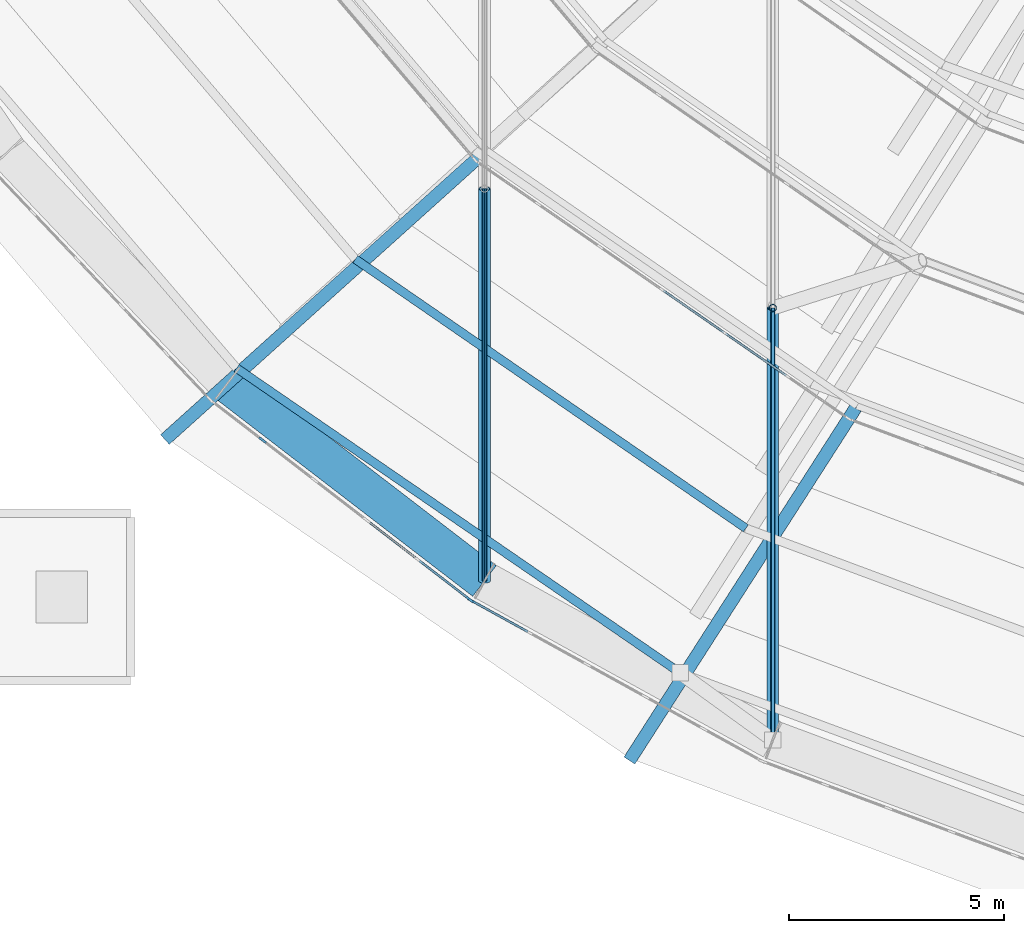
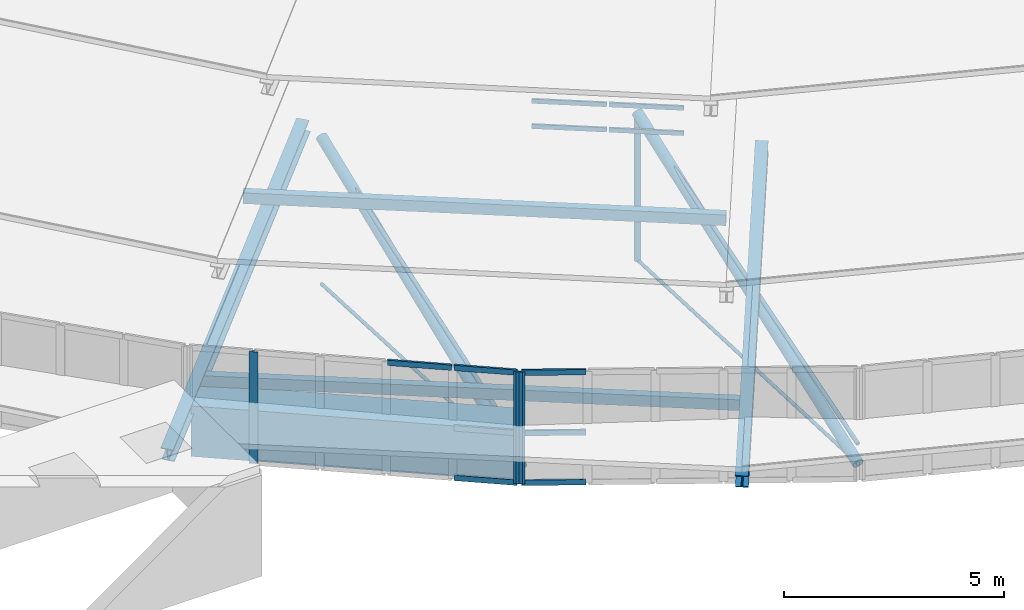
# One storey, part 2 of 173: 25 members, 1 beam, 3 elements without a shape of their own.
"""IFC4 building model written with IfcOpenShell, lengths in metres."""

from ifc_helpers import new_model, si_unit, direction, frame, origin, origin_2d, place, context, subcontext, project, spatial, rectangle, hollow_rectangle, circle, hollow_circle, i_section, extrude, material, material_profile, profile_set, type_object, element, aggregate, save


model = new_model("IFC4")

# Units and contexts
model_context = context("Model", 3, precision=1e-05, world=origin(), true_north=direction((0.0, 1.0)))
body_context = subcontext(model_context, "Body", "Model", "MODEL_VIEW")
ifc_project = project(units=[si_unit("LENGTHUNIT", "METRE"), si_unit("AREAUNIT", "SQUARE_METRE"), si_unit("VOLUMEUNIT", "CUBIC_METRE"), si_unit("PLANEANGLEUNIT", "RADIAN"), si_unit("MASSUNIT", "GRAM", prefix="KILO")], contexts=[model_context])

# Site, building, storey
site_placement = place(None, origin())
site = spatial("IfcSite", under=ifc_project, at=site_placement, CompositionType="ELEMENT")
building_placement = place(site_placement, origin())
building = spatial("IfcBuilding", under=site, at=building_placement, Name="Glasvene Arena", CompositionType="ELEMENT")
storey_placement = place(building_placement, frame((0.0, 0.0, 28.800048828125)))
storey = spatial("IfcBuildingStorey", under=building, at=storey_placement, Name="RF", CompositionType="ELEMENT", Elevation=28.800048828125)

# Beam
ifc_material_1 = material(Name="Steel S355J2", Category="steel")
ifc_material_profile_1 = material_profile(ifc_material_1, hollow_rectangle(XDim=0.89990234375, YDim=1.39990234375, WallThickness=0.034912109375, at=origin_2d()), Name="WBOX 900x1400x35")
ifc_profile_set_1 = profile_set([ifc_material_profile_1], Name="Steel S355J2")
beam_type = type_object("IfcBeamType", Name="BM-RING-BOX1400", PredefinedType="USERDEFINED", material=ifc_profile_set_1)
beam_placement = place(storey_placement, frame((56.644775390625, 41.18017578125, -0.699951171875), z_axis=(0.792826575958, -0.609447307366, 0.0), x_axis=(0.609447307366, 0.792826575958, 0.0)))
element("IfcBeam", 1, at=beam_placement, inside=storey, type_object=beam_type, Name="Compression ring beam chord RB-26", ObjectType="RING BEAM", PredefinedType="USERDEFINED", context=body_context, shape_type="SweptSolid", body=[
    extrude(hollow_rectangle(XDim=0.89990234375, YDim=1.39990234375, WallThickness=0.034912109375, at=origin_2d()), origin(), (0.0, 0.0, 1.0), 7.524658203125),
])

# Curtain wall, members
ifc_material_2 = material(Name="Low-emissivity laminated double glazing", Category="glass")
curtain_wall_type_1 = type_object("IfcCurtainWallType", Name="CW-DRUM-761x310", PredefinedType="USERDEFINED", material=ifc_material_2)
curtain_wall_1_placement = place(storey_placement, frame((56.255859375, 40.791259765625, 0.0)))
curtain_wall_1 = element("IfcCurtainWall", 2, at=curtain_wall_1_placement, inside=storey, type_object=curtain_wall_type_1, Name="Crown compression-ring fascia curtain wall 26", ObjectType="CURTAIN WALL", PredefinedType="USERDEFINED")
ifc_material_3 = material(Name="Anodised architectural aluminium", Category="aluminium")
ifc_material_profile_2 = material_profile(ifc_material_3, rectangle(XDim=0.050048828125, YDim=0.199951171875, at=origin_2d()), Name="ALU MULLION 50x200")
ifc_profile_set_2 = profile_set([ifc_material_profile_2], Name="Anodised architectural aluminium")
member_type_1 = type_object("IfcMemberType", Name="CW-MUL-180", PredefinedType="MULLION", material=ifc_profile_set_2)
member_1_placement = place(storey_placement, frame((57.462158203125, 39.86279296875, -1.380126953125), z_axis=(0.0, 0.0, 1.0), x_axis=(0.609894880488, 0.792482324569, 0.0)))
member_1 = element("IfcMember", 3, at=member_1_placement, type_object=member_type_1, Name="CW-076 mullion 2", PredefinedType="MULLION", context=body_context, shape_type="SweptSolid", body=[
    extrude(rectangle(XDim=0.050048828125, YDim=0.199951171875, at=origin_2d()), origin(), (0.0, 0.0, 1.0), 3.10009765625),
])
member_2_placement = place(storey_placement, frame((62.267578125, 36.16455078125, -1.380126953125), z_axis=(0.0, 0.0, 1.0), x_axis=(0.609894880488, 0.792482324569, 0.0)))
member_2 = element("IfcMember", 4, at=member_2_placement, type_object=member_type_1, Name="CW-076 mullion 6", PredefinedType="MULLION", context=body_context, shape_type="SweptSolid", body=[
    extrude(rectangle(XDim=0.050048828125, YDim=0.199951171875, at=origin_2d()), origin(), (0.0, 0.0, 1.0), 3.10009765625),
])

# Curtain wall, member
curtain_wall_type_2 = type_object("IfcCurtainWallType", Name="CW-DRUM-773x310", PredefinedType="USERDEFINED", material=ifc_material_2)
curtain_wall_2_placement = place(storey_placement, frame((62.28759765625, 36.1494140625, 0.0)))
curtain_wall_2 = element("IfcCurtainWall", 5, at=curtain_wall_2_placement, inside=storey, type_object=curtain_wall_type_2, Name="Crown compression-ring fascia curtain wall 27", ObjectType="CURTAIN WALL", PredefinedType="USERDEFINED")
member_3_placement = place(storey_placement, frame((62.309326171875, 36.13720703125, -1.380126953125), z_axis=(0.0, 0.0, 1.0), x_axis=(0.483387319086, 0.875406591103, 0.0)))
member_3 = element("IfcMember", 6, at=member_3_placement, type_object=member_type_1, Name="CW-077 mullion 1", PredefinedType="MULLION", context=body_context, shape_type="SweptSolid", body=[
    extrude(rectangle(XDim=0.050048828125, YDim=0.199951171875, at=origin_2d()), origin(), (0.0, 0.0, 1.0), 3.10009765625),
])

# Curtain wall, members
curtain_wall_type_3 = type_object("IfcCurtainWallType", Name="CW-PET1-1054x75", PredefinedType="USERDEFINED", material=ifc_material_2)
curtain_wall_3_placement = place(storey_placement, frame((62.40771484375, 46.342041015625, 0.0)))
curtain_wall_3 = element("IfcCurtainWall", 7, at=curtain_wall_3_placement, inside=storey, type_object=curtain_wall_type_3, Name="Petal ring 1-2 clerestory curtain wall 16", ObjectType="CURTAIN WALL", PredefinedType="USERDEFINED")
ifc_material_profile_3 = material_profile(ifc_material_3, rectangle(XDim=0.050048828125, YDim=0.1201171875, at=origin_2d()), Name="ALU TRANSOM 50x120")
ifc_profile_set_3 = profile_set([ifc_material_profile_3], Name="Anodised architectural aluminium")
member_type_2 = type_object("IfcMemberType", Name="CW-TRN-120", PredefinedType="USERDEFINED", material=ifc_profile_set_3)
member_4_placement = place(storey_placement, frame((66.761962890625, 43.332275390625, 2.60498046875), z_axis=(0.82255264471, -0.56868897183, 0.0), x_axis=(0.56868897183, 0.82255264471, 0.0)))
member_4 = element("IfcMember", 8, at=member_4_placement, type_object=member_type_2, Name="CW-084 transom 4.1", ObjectType="TRANSOM", PredefinedType="USERDEFINED", context=body_context, shape_type="SweptSolid", body=[
    extrude(rectangle(XDim=0.050048828125, YDim=0.1201171875, at=origin_2d()), origin(), (0.0, 0.0, 1.0), 1.7060546875),
])
member_5_placement = place(storey_placement, frame((66.761962890625, 43.332275390625, 3.304931640625), z_axis=(0.82255264471, -0.56868897183, 0.0), x_axis=(0.56868897183, 0.82255264471, 0.0)))
member_5 = element("IfcMember", 9, at=member_5_placement, type_object=member_type_2, Name="CW-084 transom 4.2", ObjectType="TRANSOM", PredefinedType="USERDEFINED", context=body_context, shape_type="SweptSolid", body=[
    extrude(rectangle(XDim=0.050048828125, YDim=0.1201171875, at=origin_2d()), origin(), (0.0, 0.0, 1.0), 1.7060546875),
])
member_6_placement = place(storey_placement, frame((68.20654296875, 42.333740234375, 2.60498046875), z_axis=(0.82255264471, -0.56868897183, 0.0), x_axis=(0.56868897183, 0.82255264471, 0.0)))
member_6 = element("IfcMember", 10, at=member_6_placement, type_object=member_type_2, Name="CW-084 transom 5.1", ObjectType="TRANSOM", PredefinedType="USERDEFINED", context=body_context, shape_type="SweptSolid", body=[
    extrude(rectangle(XDim=0.050048828125, YDim=0.1201171875, at=origin_2d()), origin(), (0.0, 0.0, 1.0), 1.7060546875),
])
member_7_placement = place(storey_placement, frame((68.20654296875, 42.333740234375, 3.304931640625), z_axis=(0.82255264471, -0.56868897183, 0.0), x_axis=(0.56868897183, 0.82255264471, 0.0)))
member_7 = element("IfcMember", 11, at=member_7_placement, type_object=member_type_2, Name="CW-084 transom 5.2", ObjectType="TRANSOM", PredefinedType="USERDEFINED", context=body_context, shape_type="SweptSolid", body=[
    extrude(rectangle(XDim=0.050048828125, YDim=0.1201171875, at=origin_2d()), origin(), (0.0, 0.0, 1.0), 1.7060546875),
])
aggregate(curtain_wall_3, [member_4, member_5, member_6, member_7])

# Member
ifc_material_profile_4 = material_profile(ifc_material_3, rectangle(XDim=0.050048828125, YDim=0.14990234375, at=origin_2d()), Name="ALU TRANSOM 50x150")
ifc_profile_set_4 = profile_set([ifc_material_profile_4], Name="Anodised architectural aluminium")
member_type_3 = type_object("IfcMemberType", Name="CW-TRN-150", PredefinedType="USERDEFINED", material=ifc_profile_set_4)
member_8_placement = place(storey_placement, frame((59.89453125, 37.990966796875, 1.695068359375), z_axis=(0.792476018124, -0.60990307484, 0.0), x_axis=(0.60990307484, 0.792476018124, 0.0)))
member_8 = element("IfcMember", 12, at=member_8_placement, type_object=member_type_3, Name="CW-076 transom 4.3", ObjectType="TRANSOM", PredefinedType="USERDEFINED", context=body_context, shape_type="SweptSolid", body=[
    extrude(rectangle(XDim=0.050048828125, YDim=0.14990234375, at=origin_2d()), origin(), (0.0, 0.0, 1.0), 1.47216796875),
])

member_9_placement = place(storey_placement, frame((61.10107421875, 37.0625, -1.35498046875), z_axis=(0.792385615775, -0.610020520895, 0.0), x_axis=(0.610020520895, 0.792385615775, 0.0)))
member_9 = element("IfcMember", 13, at=member_9_placement, type_object=member_type_3, Name="CW-076 transom 5.1", ObjectType="TRANSOM", PredefinedType="USERDEFINED", context=body_context, shape_type="SweptSolid", body=[
    extrude(rectangle(XDim=0.050048828125, YDim=0.14990234375, at=origin_2d()), origin(), (0.0, 0.0, 1.0), 1.447265625),
])

member_10_placement = place(storey_placement, frame((61.10107421875, 37.0625, 0.02001953125), z_axis=(0.792385615775, -0.610020520895, 0.0), x_axis=(0.610020520895, 0.792385615775, 0.0)))
member_10 = element("IfcMember", 14, at=member_10_placement, type_object=member_type_3, Name="CW-076 transom 5.2", ObjectType="TRANSOM", PredefinedType="USERDEFINED", context=body_context, shape_type="SweptSolid", body=[
    extrude(rectangle(XDim=0.050048828125, YDim=0.14990234375, at=origin_2d()), origin(), (0.0, 0.0, 1.0), 1.447265625),
])

member_11_placement = place(storey_placement, frame((61.10107421875, 37.0625, 1.695068359375), z_axis=(0.792385615775, -0.610020520895, 0.0), x_axis=(0.610020520895, 0.792385615775, 0.0)))
member_11 = element("IfcMember", 15, at=member_11_placement, type_object=member_type_3, Name="CW-076 transom 5.3", ObjectType="TRANSOM", PredefinedType="USERDEFINED", context=body_context, shape_type="SweptSolid", body=[
    extrude(rectangle(XDim=0.050048828125, YDim=0.14990234375, at=origin_2d()), origin(), (0.0, 0.0, 1.0), 1.447265625),
])

aggregate(curtain_wall_1, [member_1, member_2, member_8, member_9, member_10, member_11])

member_12_placement = place(storey_placement, frame((62.331298828125, 36.125244140625, -1.35498046875), z_axis=(0.875376563169, -0.483441695197, 0.0), x_axis=(0.483441695197, 0.875376563169, 0.0)))
member_12 = element("IfcMember", 16, at=member_12_placement, type_object=member_type_3, Name="CW-077 transom 1.1", ObjectType="TRANSOM", PredefinedType="USERDEFINED", context=body_context, shape_type="SweptSolid", body=[
    extrude(rectangle(XDim=0.050048828125, YDim=0.14990234375, at=origin_2d()), origin(), (0.0, 0.0, 1.0), 1.469970703125),
])

member_13_placement = place(storey_placement, frame((62.331298828125, 36.125244140625, 0.02001953125), z_axis=(0.875376563169, -0.483441695197, 0.0), x_axis=(0.483441695197, 0.875376563169, 0.0)))
member_13 = element("IfcMember", 17, at=member_13_placement, type_object=member_type_3, Name="CW-077 transom 1.2", ObjectType="TRANSOM", PredefinedType="USERDEFINED", context=body_context, shape_type="SweptSolid", body=[
    extrude(rectangle(XDim=0.050048828125, YDim=0.14990234375, at=origin_2d()), origin(), (0.0, 0.0, 1.0), 1.469970703125),
])

member_14_placement = place(storey_placement, frame((62.331298828125, 36.125244140625, 1.695068359375), z_axis=(0.875376563169, -0.483441695197, 0.0), x_axis=(0.483441695197, 0.875376563169, 0.0)))
member_14 = element("IfcMember", 18, at=member_14_placement, type_object=member_type_3, Name="CW-077 transom 1.3", ObjectType="TRANSOM", PredefinedType="USERDEFINED", context=body_context, shape_type="SweptSolid", body=[
    extrude(rectangle(XDim=0.050048828125, YDim=0.14990234375, at=origin_2d()), origin(), (0.0, 0.0, 1.0), 1.469970703125),
])

aggregate(curtain_wall_2, [member_3, member_12, member_13, member_14])

# Members
ifc_material_4 = material(Name="High-strength steel spiral strand S460", Category="steel")
ifc_material_profile_5 = material_profile(ifc_material_4, circle(Radius=0.052490234375, at=origin_2d()), Name="LCSS D105")
ifc_profile_set_5 = profile_set([ifc_material_profile_5], Name="High-strength steel spiral strand S460")
member_type_4 = type_object("IfcMemberType", Name="MB-CABLE-105", PredefinedType="USERDEFINED", material=ifc_profile_set_5)
member_15_placement = place(storey_placement, frame((69.300537109375, 32.90478515625, -0.780029296875), z_axis=(0.0, 0.955115669701, 0.296233113427), x_axis=(-1.0, 0.0, 0.0)))
element("IfcMember", 19, at=member_15_placement, inside=storey, type_object=member_type_4, Name="Upper lens roof cable NS08-01", ObjectType="ROOF CABLE", PredefinedType="USERDEFINED", context=body_context, shape_type="SweptSolid", body=[
    extrude(circle(Radius=0.052490234375, at=origin_2d()), origin(), (0.0, 0.0, 1.0), 10.49462890625),
])
member_16_placement = place(storey_placement, frame((62.610595703125, 36.59423828125, -0.780029296875), z_axis=(0.0, 0.946316907349, 0.323240329887), x_axis=(-1.0, 0.0, 0.0)))
element("IfcMember", 20, at=member_16_placement, inside=storey, type_object=member_type_4, Name="Upper lens roof cable NS09-01", ObjectType="ROOF CABLE", PredefinedType="USERDEFINED", context=body_context, shape_type="SweptSolid", body=[
    extrude(circle(Radius=0.052490234375, at=origin_2d()), origin(), (0.0, 0.0, 1.0), 9.617919921875),
])
ifc_material_profile_6 = material_profile(ifc_material_4, circle(Radius=0.044921875, at=origin_2d()), Name="LCSS D90")
ifc_profile_set_6 = profile_set([ifc_material_profile_6], Name="High-strength steel spiral strand S460")
member_type_5 = type_object("IfcMemberType", Name="MB-CABLE-90", PredefinedType="USERDEFINED", material=ifc_profile_set_6)
member_17_placement = place(storey_placement, frame((69.300537109375, 32.90478515625, -1.320068359375), z_axis=(0.0, 0.999067829779, -0.043167945296), x_axis=(-1.0, 0.0, 0.0)))
element("IfcMember", 21, at=member_17_placement, inside=storey, type_object=member_type_5, Name="Lower stabilization roof cable NS08-01", ObjectType="ROOF CABLE", PredefinedType="USERDEFINED", context=body_context, shape_type="SweptSolid", body=[
    extrude(circle(Radius=0.044921875, at=origin_2d()), origin(), (0.0, 0.0, 1.0), 10.032958984375),
])
member_18_placement = place(storey_placement, frame((62.610595703125, 36.59423828125, -1.320068359375), z_axis=(0.0, 0.998869713277, -0.04753205127), x_axis=(-1.0, 0.0, 0.0)))
element("IfcMember", 22, at=member_18_placement, inside=storey, type_object=member_type_5, Name="Lower stabilization roof cable NS09-01", ObjectType="ROOF CABLE", PredefinedType="USERDEFINED", context=body_context, shape_type="SweptSolid", body=[
    extrude(circle(Radius=0.044921875, at=origin_2d()), origin(), (0.0, 0.0, 1.0), 9.11181640625),
])
ifc_material_profile_7 = material_profile(ifc_material_1, i_section(OverallWidth=0.300048828125, OverallDepth=0.39990234375, WebThickness=0.013427734375, FlangeThickness=0.02392578125, FilletRadius=0.027099609375, at=origin_2d()), Name="HEB 400")
ifc_profile_set_7 = profile_set([ifc_material_profile_7], Name="Steel S355J2")
member_type_6 = type_object("IfcMemberType", Name="MB-CHORD-HEB400", PredefinedType="CHORD", material=ifc_profile_set_7)
member_19_placement = place(storey_placement, frame((55.23046875, 39.907470703125, -0.400146484375), z_axis=(0.721052228136, 0.648949376347, 0.242792897837), x_axis=(-0.668966081985, 0.743292930919, 0.0)))
element("IfcMember", 23, at=member_19_placement, inside=storey, type_object=member_type_6, Name="Petal ring 1 radial rib 16", PredefinedType="CHORD", context=body_context, shape_type="SweptSolid", body=[
    extrude(i_section(OverallWidth=0.300048828125, OverallDepth=0.39990234375, WebThickness=0.013427734375, FlangeThickness=0.02392578125, FilletRadius=0.027099609375, at=origin_2d()), origin(), (0.0, 0.0, 1.0), 10.296875),
])
member_20_placement = place(storey_placement, frame((66.0, 32.469970703125, -0.400146484375), z_axis=(0.522944416595, 0.815179491662, 0.24902115076), x_axis=(-0.841694512894, 0.539954023009, 0.0)))
element("IfcMember", 24, at=member_20_placement, inside=storey, type_object=member_type_6, Name="Petal ring 1 radial rib 17", PredefinedType="CHORD", context=body_context, shape_type="SweptSolid", body=[
    extrude(i_section(OverallWidth=0.300048828125, OverallDepth=0.39990234375, WebThickness=0.013427734375, FlangeThickness=0.02392578125, FilletRadius=0.027099609375, at=origin_2d()), origin(), (0.0, 0.0, 1.0), 10.039306640625),
])
ifc_material_profile_8 = material_profile(ifc_material_1, hollow_rectangle(XDim=0.199951171875, YDim=0.300048828125, WallThickness=0.012451171875, at=origin_2d()), Name="RHS 300x200x12.5")
ifc_profile_set_8 = profile_set([ifc_material_profile_8], Name="Steel S355J2")
member_type_7 = type_object("IfcMemberType", Name="MB-PURLIN-RHS300", PredefinedType="PURLIN", material=ifc_profile_set_8)
member_21_placement = place(storey_placement, frame((56.856689453125, 41.53369140625, 0.16748046875), z_axis=(0.824221560776, -0.566267444545, 0.0), x_axis=(0.566267444545, 0.824221560776, 0.0)))
element("IfcMember", 25, at=member_21_placement, inside=storey, type_object=member_type_7, Name="Petal ring 1 outer purlin 16", PredefinedType="PURLIN", context=body_context, shape_type="SweptSolid", body=[
    extrude(hollow_rectangle(XDim=0.199951171875, YDim=0.300048828125, WallThickness=0.012451171875, at=origin_2d()), origin(), (0.0, 0.0, 1.0), 12.488525390625),
])
member_22_placement = place(storey_placement, frame((59.614013671875, 44.060791015625, 2.728515625), z_axis=(0.82335648523, -0.567524535355, 0.0), x_axis=(0.567524535355, 0.82335648523, 0.0)))
element("IfcMember", 26, at=member_22_placement, inside=storey, type_object=member_type_7, Name="Petal ring 2 outer purlin 16", PredefinedType="PURLIN", context=body_context, shape_type="SweptSolid", body=[
    extrude(hollow_rectangle(XDim=0.199951171875, YDim=0.300048828125, WallThickness=0.012451171875, at=origin_2d()), origin(), (0.0, 0.0, 1.0), 11.0048828125),
])
ifc_material_profile_9 = material_profile(ifc_material_1, hollow_circle(Radius=0.084228515625, WallThickness=0.008056640625, at=origin_2d()), Name="CHS 168.3x8.0")
ifc_profile_set_9 = profile_set([ifc_material_profile_9], Name="Steel S355J2")
member_type_8 = type_object("IfcMemberType", Name="MB-WEB-CHS168", PredefinedType="BRACE", material=ifc_profile_set_9)
member_23_placement = place(storey_placement, frame((69.300537109375, 42.928466796875, -1.753173828125), z_axis=(0.0, 0.0, 1.0), x_axis=(1.0, 0.0, 0.0)))
element("IfcMember", 27, at=member_23_placement, inside=storey, type_object=member_type_8, Name="Cable-truss vertical strut NS08-01", PredefinedType="BRACE", context=body_context, shape_type="SweptSolid", body=[
    extrude(hollow_circle(Radius=0.084228515625, WallThickness=0.008056640625, at=origin_2d()), origin(), (0.0, 0.0, 1.0), 4.08203125),
])
ifc_material_profile_10 = material_profile(ifc_material_1, hollow_circle(Radius=0.136474609375, WallThickness=0.012451171875, at=origin_2d()), Name="CHS 273.0x12.5")
ifc_profile_set_10 = profile_set([ifc_material_profile_10], Name="Steel S355J2")
member_type_9 = type_object("IfcMemberType", Name="MB-WEB-CHS273", PredefinedType="BRACE", material=ifc_profile_set_10)
member_24_placement = place(storey_placement, frame((69.300537109375, 32.90478515625, -1.320068359375), z_axis=(0.0, 0.939674420625, 0.342070143719), x_axis=(-1.0, 0.0, 0.0)))
element("IfcMember", 28, at=member_24_placement, inside=storey, type_object=member_type_9, Name="Cable-truss diagonal web strut NS08-01", PredefinedType="BRACE", context=body_context, shape_type="SweptSolid", body=[
    extrude(hollow_circle(Radius=0.136474609375, WallThickness=0.012451171875, at=origin_2d()), origin(), (0.0, 0.0, 1.0), 10.667236328125),
])
member_25_placement = place(storey_placement, frame((62.610595703125, 36.59423828125, -1.320068359375), z_axis=(0.0, 0.928184500582, 0.372120320432), x_axis=(-1.0, 0.0, 0.0)))
element("IfcMember", 29, at=member_25_placement, inside=storey, type_object=member_type_9, Name="Cable-truss diagonal web strut NS09-01", PredefinedType="BRACE", context=body_context, shape_type="SweptSolid", body=[
    extrude(hollow_circle(Radius=0.136474609375, WallThickness=0.012451171875, at=origin_2d()), origin(), (0.0, 0.0, 1.0), 9.8056640625),
])

save(model, "model.ifc")
